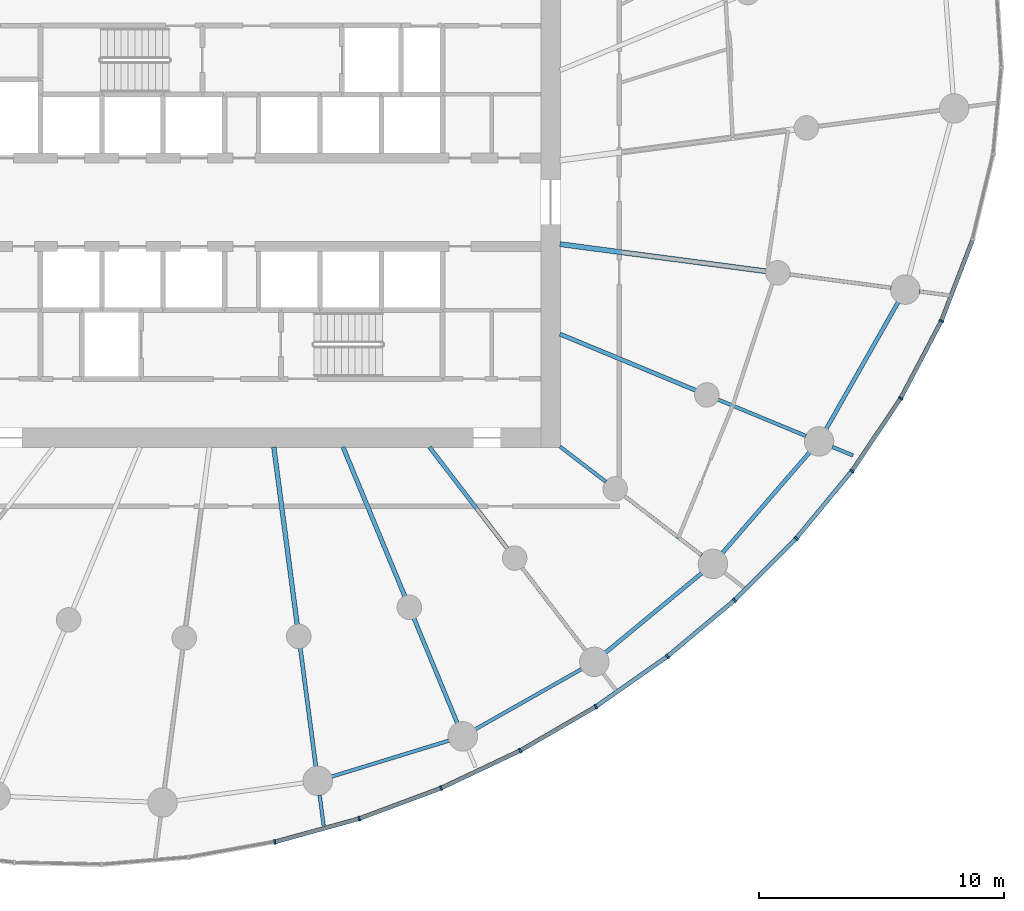
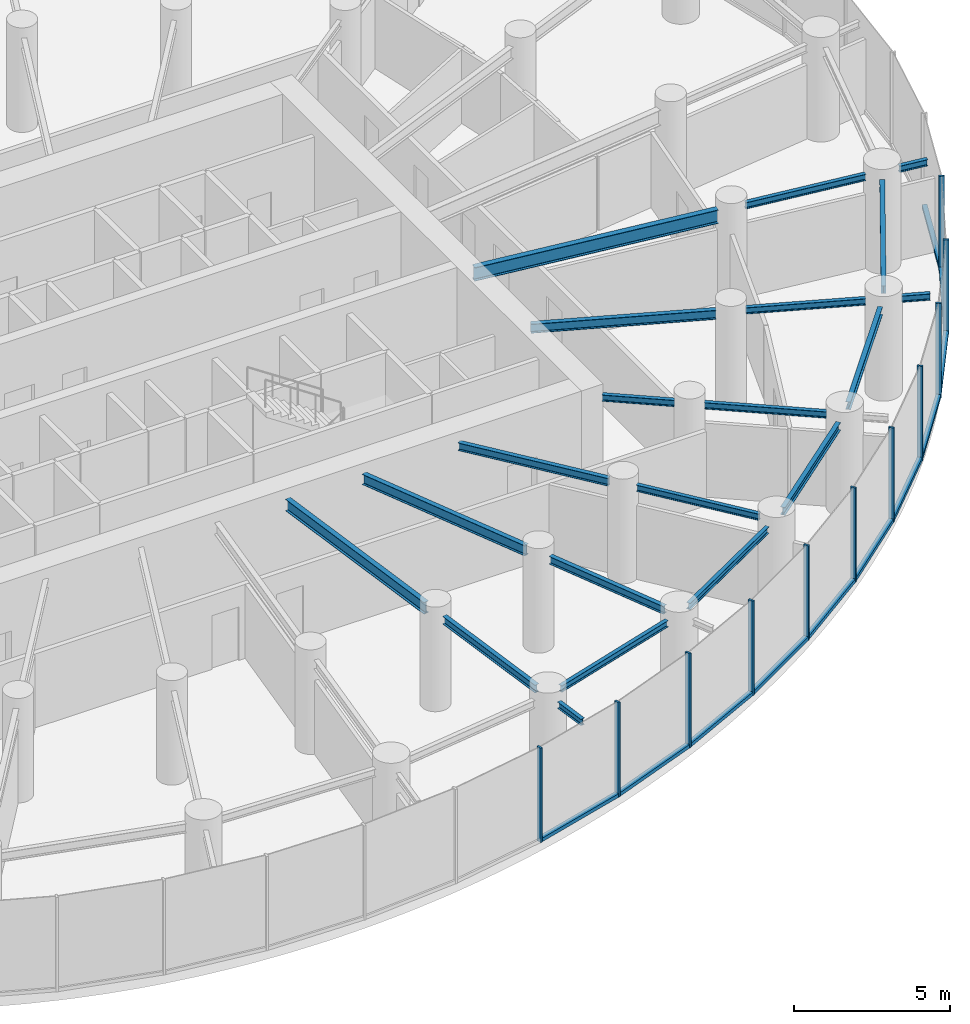
# One storey, part 4 of 18: 22 members, 20 beams, 3 elements without a shape of their own.
"""IFC4 building model written with IfcOpenShell, lengths in metres."""

import ifcopenshell
import ifcopenshell.guid

model = None  # the IFC model being written
_history = None  # IfcOwnerHistory: only IFC2X3 demands one
_inside = {}  # id of a spatial element -> (the spatial element, [elements in it])
_under = {}  # id of a project, library or spatial element -> (it, [spatial elements below it])
_declared = {}  # id of a project -> (the project, [libraries it declares])
_typed = {}  # id of a type object -> (the type object, [elements of that type])
_made_of = {}  # id of a material, layer set ... -> (it, [elements and type objects made of it])


def new_model(schema):
    """Start an empty IFC model of exactly this schema.

    Asked for "IFC4X3", IfcOpenShell would pick the latest addendum, in which some entities
    have other attributes; the version numbers below select the first issue.
    IFC2X3 requires an IfcOwnerHistory on every rooted entity: one is made here for all.
    """
    global model, _history
    if schema == "IFC4X3":
        model = ifcopenshell.file(schema_version=(4, 3, 0, 0))
    else:
        model = ifcopenshell.file(schema=schema)
    _inside.clear()
    _under.clear()
    _declared.clear()
    _typed.clear()
    _made_of.clear()
    _history = None
    if model.schema == "IFC2X3":
        org = make("IfcOrganization", Name="unknown")
        user = make(
            "IfcPersonAndOrganization",
            ThePerson=make("IfcPerson", FamilyName="unknown"),
            TheOrganization=org,
        )
        app = make(
            "IfcApplication",
            ApplicationDeveloper=org,
            Version="unknown",
            ApplicationFullName="unknown",
            ApplicationIdentifier="unknown",
        )
        _history = make(
            "IfcOwnerHistory",
            OwningUser=user,
            OwningApplication=app,
            ChangeAction="ADDED",
            CreationDate=0,
        )
    return model


def make(cls, **values):
    """One entity of the class cls with the attributes given. An attribute that is None is left unset."""
    return model.create_entity(
        cls, **{name: value for name, value in values.items() if value is not None}
    )


def rooted(cls, **values):
    """An entity with a GlobalId (a new one), such as an element, a storey or a relation."""
    return make(cls, GlobalId=ifcopenshell.guid.new(), OwnerHistory=_history, **values)


def si_unit(unit_type, name, prefix=None):
    """IfcSIUnit, for example si_unit("LENGTHUNIT", "METRE", prefix="MILLI")."""
    return make("IfcSIUnit", UnitType=unit_type, Prefix=prefix, Name=name)


def assignment(units):
    """IfcUnitAssignment: the units of a project."""
    return None if units is None else make("IfcUnitAssignment", Units=units)


def point(xyz):
    """IfcCartesianPoint."""
    return None if xyz is None else make("IfcCartesianPoint", Coordinates=xyz)


def direction(xyz):
    """IfcDirection."""
    return None if xyz is None else make("IfcDirection", DirectionRatios=xyz)


def frame(location, z_axis=None, x_axis=None):
    """IfcAxis2Placement3D, a coordinate frame: its origin and axes. An axis left out is left unset."""
    return make(
        "IfcAxis2Placement3D",
        Location=point(location),
        Axis=direction(z_axis),
        RefDirection=direction(x_axis),
    )


def frame_2d(location, x_axis=None):
    """IfcAxis2Placement2D, a coordinate frame in the plane: its origin and x axis."""
    return make(
        "IfcAxis2Placement2D", Location=point(location), RefDirection=direction(x_axis)
    )


def origin():
    """The frame at (0, 0, 0) with its axes left unset."""
    return frame((0.0, 0.0, 0.0))


def origin_2d():
    """The frame at (0, 0) in the plane with its x axis left unset."""
    return frame_2d((0.0, 0.0))


def place(relative_to, where):
    """IfcLocalPlacement: puts the frame where relative to a parent placement (None: the world)."""
    return make(
        "IfcLocalPlacement", PlacementRelTo=relative_to, RelativePlacement=where
    )


def context(
    kind, dimensions, precision=None, world=None, true_north=None, identifier=None
):
    """IfcGeometricRepresentationContext, for example the 3D "Model" context."""
    return make(
        "IfcGeometricRepresentationContext",
        ContextIdentifier=identifier,
        ContextType=kind,
        CoordinateSpaceDimension=dimensions,
        Precision=precision,
        WorldCoordinateSystem=world,
        TrueNorth=true_north,
    )


def subcontext(parent, identifier, kind, view, scale=None):
    """IfcGeometricRepresentationSubContext, for example "Body" below "Model"."""
    return make(
        "IfcGeometricRepresentationSubContext",
        ContextIdentifier=identifier,
        ContextType=kind,
        ParentContext=parent,
        TargetScale=scale,
        TargetView=view,
    )


def project(units=None, contexts=None):
    """IfcProject with its units and contexts."""
    return rooted(
        "IfcProject",
        Name="project",
        RepresentationContexts=contexts,
        UnitsInContext=assignment(units),
    )


def spatial(cls, under=None, at=None, **own):
    """A site, building, storey or space (cls), placed at a placement, below another one or the project."""
    s = rooted(cls, ObjectPlacement=at, **own)
    if under is not None:
        _under.setdefault(under.id(), (under, []))[1].append(s)
    return s


def profile(cls, at=None, kind="AREA", **sizes):
    """A parametric profile (cls). Its sizes go by their IFC names, for example OverallWidth=200.0."""
    return make(cls, ProfileType=kind, Position=at, **sizes)


def rectangle(**sizes):
    """IfcRectangleProfileDef."""
    return profile("IfcRectangleProfileDef", **sizes)


def i_section(**sizes):
    """IfcIShapeProfileDef."""
    return profile("IfcIShapeProfileDef", **sizes)


def extrude(swept, where, along, depth):
    """IfcExtrudedAreaSolid: the profile swept, set in the frame where, extruded along a direction by depth."""
    return make(
        "IfcExtrudedAreaSolid",
        SweptArea=swept,
        Position=where,
        ExtrudedDirection=direction(along),
        Depth=depth,
    )


def shape(context_of_items, identifier, shape_type, items):
    """IfcShapeRepresentation: the items that make up one representation, for example the "Body"."""
    return make(
        "IfcShapeRepresentation",
        ContextOfItems=context_of_items,
        RepresentationIdentifier=identifier,
        RepresentationType=shape_type,
        Items=items,
    )


def source(mapping_origin, context_of_items, identifier, shape_type, items):
    """IfcRepresentationMap: a shape defined once, which mapped items show again and again."""
    return make(
        "IfcRepresentationMap",
        MappingOrigin=mapping_origin,
        MappedRepresentation=shape(context_of_items, identifier, shape_type, items),
    )


def transform(
    local_origin,
    x_axis=None,
    y_axis=None,
    z_axis=None,
    scale=None,
    scale2=None,
    scale3=None,
    uniform=True,
):
    """IfcCartesianTransformationOperator3D, or its non-uniform kind. x_axis, y_axis, z_axis: its Axis1, 2, 3."""
    if uniform:
        return make(
            "IfcCartesianTransformationOperator3D",
            Axis1=direction(x_axis),
            Axis2=direction(y_axis),
            LocalOrigin=point(local_origin),
            Scale=scale,
            Axis3=direction(z_axis),
        )
    return make(
        "IfcCartesianTransformationOperator3DnonUniform",
        Axis1=direction(x_axis),
        Axis2=direction(y_axis),
        LocalOrigin=point(local_origin),
        Scale=scale,
        Axis3=direction(z_axis),
        Scale2=scale2,
        Scale3=scale3,
    )


def mapped(mapping_source, mapping_target):
    """IfcMappedItem: shows the shape of a source again, moved by a transform."""
    return make(
        "IfcMappedItem", MappingSource=mapping_source, MappingTarget=mapping_target
    )


def material(Name=None, Category=None):
    """IfcMaterial."""
    return make("IfcMaterial", Name=Name, Category=Category)


def layer(
    of_material, thickness, ventilated=None, Name=None, Category=None, Priority=None
):
    """IfcMaterialLayer: one layer of a wall or slab, of a material (None: an air gap)."""
    return make(
        "IfcMaterialLayer",
        Material=of_material,
        LayerThickness=thickness,
        IsVentilated=ventilated,
        Name=Name,
        Category=Category,
        Priority=Priority,
    )


def layer_set(layers, Name=None):
    """IfcMaterialLayerSet."""
    return make("IfcMaterialLayerSet", MaterialLayers=layers, LayerSetName=Name)


def material_profile(
    of_material, cross_section, Name=None, Category=None, Priority=None
):
    """IfcMaterialProfile: a cross section and its material."""
    return make(
        "IfcMaterialProfile",
        Name=Name,
        Material=of_material,
        Profile=cross_section,
        Priority=Priority,
        Category=Category,
    )


def profile_set(profiles, Name=None, composite=None):
    """IfcMaterialProfileSet."""
    return make(
        "IfcMaterialProfileSet",
        Name=Name,
        MaterialProfiles=profiles,
        CompositeProfile=composite,
    )


def made_of(thing, what):
    """Note that an element or type object is made of a material, layer set ...; save() writes the relation."""
    if what is not None:
        _made_of.setdefault(what.id(), (what, []))[1].append(thing)
    return thing


def type_object(cls, material=None, **own):
    """A type object (cls), such as IfcWallType, which elements share."""
    return made_of(rooted(cls, **own), material)


def element(
    cls,
    number,
    at=None,
    inside=None,
    cuts=None,
    type_object=None,
    material=None,
    context=None,
    identifier="Body",
    shape_type=None,
    held_by="IfcProductDefinitionShape",
    body=None,
    shapes=None,
    **own,
):
    """One element of the class cls, such as IfcWall. Its Tag is "e" and its number.

    at: its placement. inside: the storey or other place that contains it. cuts: it is an
    opening in that element (IfcRelVoidsElement). A single representation is given by context,
    identifier, shape_type and body (its items); several are given by shapes. held_by: the class
    of the entity that holds the representations. save() writes the other relations.
    """
    e = rooted(cls, Tag="e%d" % number, ObjectPlacement=at, **own)
    if body is not None:
        shapes = [shape(context, identifier, shape_type, body)]
    if shapes is not None:
        e.Representation = make(held_by, Representations=shapes)
    if inside is not None:
        _inside.setdefault(inside.id(), (inside, []))[1].append(e)
    if cuts is not None:
        rooted(
            "IfcRelVoidsElement", RelatingBuildingElement=cuts, RelatedOpeningElement=e
        )
    if type_object is not None:
        _typed.setdefault(type_object.id(), (type_object, []))[1].append(e)
    return made_of(e, material)


def aggregate(whole, parts):
    """IfcRelAggregates: a whole, such as a stair, and the parts it consists of."""
    return rooted("IfcRelAggregates", RelatingObject=whole, RelatedObjects=parts)


def save(model, path):
    """Write the relations noted so far, then the file.

    IfcRelAggregates (storeys below a building ...), IfcRelContainedInSpatialStructure (elements
    in a storey), IfcRelDefinesByType, IfcRelAssociatesMaterial and IfcRelDeclares: one each for
    every whole, place, type object, material and project.
    """
    for whole, parts in _under.values():
        aggregate(whole, parts)
    for where, things in _inside.values():
        rooted(
            "IfcRelContainedInSpatialStructure",
            RelatedElements=things,
            RelatingStructure=where,
        )
    for kind, things in _typed.values():
        rooted("IfcRelDefinesByType", RelatedObjects=things, RelatingType=kind)
    for what, things in _made_of.values():
        rooted("IfcRelAssociatesMaterial", RelatedObjects=things, RelatingMaterial=what)
    for by, libraries in _declared.values():
        rooted("IfcRelDeclares", RelatingContext=by, RelatedDefinitions=libraries)
    model.write(path)


model = new_model("IFC4")

# Units and contexts
model_context = context("Model", 3, precision=1e-05, world=origin(), true_north=direction((0.0, 1.0)))
body_context = subcontext(model_context, "Body", "Model", "MODEL_VIEW")
ifc_project = project(units=[si_unit("LENGTHUNIT", "METRE"), si_unit("AREAUNIT", "SQUARE_METRE"), si_unit("VOLUMEUNIT", "CUBIC_METRE"), si_unit("PLANEANGLEUNIT", "RADIAN"), si_unit("MASSUNIT", "GRAM", prefix="KILO")], contexts=[model_context])

# Site, building, storey
site_placement = place(None, origin())
site = spatial("IfcSite", under=ifc_project, at=site_placement, CompositionType="ELEMENT")
building_placement = place(site_placement, origin())
building = spatial("IfcBuilding", under=site, at=building_placement, Name="Spindrift Exchange Tower", CompositionType="ELEMENT")
storey_placement = place(building_placement, frame((0.0, 0.0, 116.699951171875)))
storey = spatial("IfcBuildingStorey", under=building, at=storey_placement, Name="L27", CompositionType="ELEMENT", Elevation=116.699951171875)

# Beams
ifc_material_1 = material(Name="Steel Grade 300", Category="steel")
ifc_material_profile_1 = material_profile(ifc_material_1, i_section(OverallWidth=0.18994140625, OverallDepth=0.45703125, WebThickness=0.009033203125, FlangeThickness=0.014404296875, FilletRadius=0.013916015625, at=origin_2d()), Name="460UB74.6")
ifc_profile_set_1 = profile_set([ifc_material_profile_1], Name="Steel Grade 300")
beam_type_1 = type_object("IfcBeamType", Name="Floor Beam 460UB74.6 Steel Grade 300", PredefinedType="BEAM", material=ifc_profile_set_1)
shared_shape_1 = source(origin(), body_context, "Body", "SweptSolid", [
    extrude(i_section(OverallWidth=0.18994140625, OverallDepth=0.45703125, WebThickness=0.009033203125, FlangeThickness=0.014404296875, FilletRadius=0.013916015625, at=origin_2d()), origin(), (0.0, 0.0, 1.0), 7.3095703125),
])
beam_1_placement = place(storey_placement, frame((53.31396484375, 38.019775390625, 3.471435546875), z_axis=(0.130527087244, -0.991444743541, 0.0), x_axis=(0.991444743541, 0.130527087244, 0.0)))
element("IfcBeam", 1, at=beam_1_placement, inside=storey, type_object=beam_type_1, Name="L27 radial beam R19A", PredefinedType="BEAM", context=body_context, shape_type="MappedRepresentation", body=[
    mapped(shared_shape_1, transform((0.0, 0.0, 0.0), scale=1.0)),
])
ifc_material_profile_2 = material_profile(ifc_material_1, i_section(OverallWidth=0.177978515625, OverallDepth=0.406005859375, WebThickness=0.0078125, FlangeThickness=0.0126953125, FilletRadius=0.013916015625, at=origin_2d()), Name="410UB59.7")
ifc_profile_set_2 = profile_set([ifc_material_profile_2], Name="Steel Grade 300")
beam_type_2 = type_object("IfcBeamType", Name="Floor Beam 410UB59.7 Steel Grade 300", PredefinedType="BEAM", material=ifc_profile_set_2)
shared_shape_2 = source(origin(), body_context, "Body", "SweptSolid", [
    extrude(i_section(OverallWidth=0.177978515625, OverallDepth=0.406005859375, WebThickness=0.0078125, FlangeThickness=0.0126953125, FilletRadius=0.013916015625, at=origin_2d()), origin(), (0.0, 0.0, 1.0), 6.594482421875),
])
beam_2_placement = place(storey_placement, frame((56.134521484375, 38.0185546875, 3.4970703125), z_axis=(0.382692929746, -0.92387559851, 0.0), x_axis=(0.92387559851, 0.382692929746, 0.0)))
element("IfcBeam", 2, at=beam_2_placement, inside=storey, type_object=beam_type_2, Name="L27 radial beam R20A", PredefinedType="BEAM", context=body_context, shape_type="MappedRepresentation", body=[
    mapped(shared_shape_2, transform((0.0, 0.0, 0.0), scale=1.0)),
])
ifc_material_profile_3 = material_profile(ifc_material_1, i_section(OverallWidth=0.1650390625, OverallDepth=0.303955078125, WebThickness=0.006103515625, FlangeThickness=0.01025390625, FilletRadius=0.011474609375, at=origin_2d()), Name="310UB40.4")
ifc_profile_set_3 = profile_set([ifc_material_profile_3], Name="Steel Grade 300")
beam_type_3 = type_object("IfcBeamType", Name="Floor Beam 310UB40.4 Steel Grade 300", PredefinedType="BEAM", material=ifc_profile_set_3)
shared_shape_3 = source(origin(), body_context, "Body", "SweptSolid", [
    extrude(i_section(OverallWidth=0.1650390625, OverallDepth=0.303955078125, WebThickness=0.006103515625, FlangeThickness=0.01025390625, FilletRadius=0.011474609375, at=origin_2d()), origin(), (0.0, 0.0, 1.0), 5.224609375),
])
beam_3_placement = place(storey_placement, frame((59.6611328125, 38.015869140625, 3.548095703125), z_axis=(0.608741499316, -0.793368632485, 0.0), x_axis=(0.793368632485, 0.608741499316, 0.0)))
element("IfcBeam", 3, at=beam_3_placement, inside=storey, type_object=beam_type_3, Name="L27 radial beam R21A", PredefinedType="BEAM", context=body_context, shape_type="MappedRepresentation", body=[
    mapped(shared_shape_3, transform((0.0, 0.0, 0.0), scale=1.0)),
])
ifc_material_profile_4 = material_profile(ifc_material_1, i_section(OverallWidth=0.14599609375, OverallDepth=0.251953125, WebThickness=0.006103515625, FlangeThickness=0.008544921875, FilletRadius=0.011962890625, at=origin_2d()), Name="250UB31.4")
ifc_profile_set_4 = profile_set([ifc_material_profile_4], Name="Steel Grade 300")
beam_type_4 = type_object("IfcBeamType", Name="Floor Beam 250UB31.4 Steel Grade 300", PredefinedType="BEAM", material=ifc_profile_set_4)
shared_shape_4 = source(origin(), body_context, "Body", "SweptSolid", [
    extrude(i_section(OverallWidth=0.14599609375, OverallDepth=0.251953125, WebThickness=0.006103515625, FlangeThickness=0.008544921875, FilletRadius=0.011962890625, at=origin_2d()), origin(), (0.0, 0.0, 1.0), 2.353759765625),
])
beam_4_placement = place(storey_placement, frame((64.984130859375, 38.036865234375, 3.573974609375), z_axis=(0.793367573265, -0.608742879787, 0.0), x_axis=(0.608742879787, 0.793367573265, 0.0)))
element("IfcBeam", 4, at=beam_4_placement, inside=storey, type_object=beam_type_4, Name="L27 radial beam R22A", PredefinedType="BEAM", context=body_context, shape_type="MappedRepresentation", body=[
    mapped(shared_shape_4, transform((0.0, 0.0, 0.0), scale=1.0)),
])
ifc_material_profile_5 = material_profile(ifc_material_1, i_section(OverallWidth=0.172119140625, OverallDepth=0.35888671875, WebThickness=0.008056640625, FlangeThickness=0.012939453125, FilletRadius=0.013916015625, at=origin_2d()), Name="360UB56.7")
ifc_profile_set_5 = profile_set([ifc_material_profile_5], Name="Steel Grade 300")
beam_type_5 = type_object("IfcBeamType", Name="Floor Beam 360UB56.7 Steel Grade 300", PredefinedType="BEAM", material=ifc_profile_set_5)
shared_shape_5 = source(origin(), body_context, "Body", "SweptSolid", [
    extrude(i_section(OverallWidth=0.172119140625, OverallDepth=0.35888671875, WebThickness=0.008056640625, FlangeThickness=0.012939453125, FilletRadius=0.013916015625, at=origin_2d()), origin(), (0.0, 0.0, 1.0), 6.004638671875),
])
beam_5_placement = place(storey_placement, frame((64.9814453125, 42.622802734375, 3.5205078125), z_axis=(0.923882044911, -0.38267736684, 0.0), x_axis=(0.38267736684, 0.923882044911, 0.0)))
element("IfcBeam", 5, at=beam_5_placement, inside=storey, type_object=beam_type_5, Name="L27 radial beam R23A", PredefinedType="BEAM", context=body_context, shape_type="MappedRepresentation", body=[
    mapped(shared_shape_5, transform((0.0, 0.0, 0.0), scale=1.0)),
])
ifc_material_profile_6 = material_profile(ifc_material_1, i_section(OverallWidth=0.208984375, OverallDepth=0.532958984375, WebThickness=0.01025390625, FlangeThickness=0.015625, FilletRadius=0.013916015625, at=origin_2d()), Name="530UB92.4")
ifc_profile_set_6 = profile_set([ifc_material_profile_6], Name="Steel Grade 300")
beam_type_6 = type_object("IfcBeamType", Name="Floor Beam 530UB92.4 Steel Grade 300", PredefinedType="BEAM", material=ifc_profile_set_6)
shared_shape_6 = source(origin(), body_context, "Body", "SweptSolid", [
    extrude(i_section(OverallWidth=0.208984375, OverallDepth=0.532958984375, WebThickness=0.01025390625, FlangeThickness=0.015625, FilletRadius=0.013916015625, at=origin_2d()), origin(), (0.0, 0.0, 1.0), 8.4794921875),
])
beam_6_placement = place(storey_placement, frame((64.980224609375, 46.291015625, 3.43359375), z_axis=(0.991446551951, -0.13051335037, 0.0), x_axis=(0.13051335037, 0.991446551951, 0.0)))
element("IfcBeam", 6, at=beam_6_placement, inside=storey, type_object=beam_type_6, Name="L27 radial beam R24A", PredefinedType="BEAM", context=body_context, shape_type="MappedRepresentation", body=[
    mapped(shared_shape_6, transform((0.0, 0.0, 0.0), scale=1.0)),
])
shared_shape_7 = source(origin(), body_context, "Body", "SweptSolid", [
    extrude(i_section(OverallWidth=0.1650390625, OverallDepth=0.303955078125, WebThickness=0.006103515625, FlangeThickness=0.01025390625, FilletRadius=0.011474609375, at=origin_2d()), origin(), (0.0, 0.0, 1.0), 4.883056640625),
])
beam_7_placement = place(storey_placement, frame((54.393310546875, 29.82080078125, 3.548095703125), z_axis=(0.130542457964, -0.991442719812, 0.0), x_axis=(0.991442719812, 0.130542457964, 0.0)))
element("IfcBeam", 7, at=beam_7_placement, inside=storey, type_object=beam_type_3, Name="L27 radial beam R19B", PredefinedType="BEAM", context=body_context, shape_type="MappedRepresentation", body=[
    mapped(shared_shape_7, transform((0.0, 0.0, 0.0), scale=1.0)),
])
shared_shape_8 = source(origin(), body_context, "Body", "SweptSolid", [
    extrude(i_section(OverallWidth=0.1650390625, OverallDepth=0.303955078125, WebThickness=0.006103515625, FlangeThickness=0.01025390625, FilletRadius=0.011474609375, at=origin_2d()), origin(), (0.0, 0.0, 1.0), 4.63671875),
])
beam_8_placement = place(storey_placement, frame((59.025390625, 31.0390625, 3.548095703125), z_axis=(0.382692818086, -0.923875644763, 0.0), x_axis=(0.923875644763, 0.382692818086, 0.0)))
element("IfcBeam", 8, at=beam_8_placement, inside=storey, type_object=beam_type_3, Name="L27 radial beam R20B", PredefinedType="BEAM", context=body_context, shape_type="MappedRepresentation", body=[
    mapped(shared_shape_8, transform((0.0, 0.0, 0.0), scale=1.0)),
])
shared_shape_9 = source(origin(), body_context, "Body", "SweptSolid", [
    extrude(i_section(OverallWidth=0.14599609375, OverallDepth=0.251953125, WebThickness=0.006103515625, FlangeThickness=0.008544921875, FilletRadius=0.011962890625, at=origin_2d()), origin(), (0.0, 0.0, 1.0), 4.27587890625),
])
beam_9_placement = place(storey_placement, frame((63.426025390625, 33.109375, 3.573974609375), z_axis=(0.608725184746, -0.793381150177, 0.0), x_axis=(0.793381150177, 0.608725184746, 0.0)))
element("IfcBeam", 9, at=beam_9_placement, inside=storey, type_object=beam_type_4, Name="L27 radial beam R21B", PredefinedType="BEAM", context=body_context, shape_type="MappedRepresentation", body=[
    mapped(shared_shape_9, transform((0.0, 0.0, 0.0), scale=1.0)),
])
shared_shape_10 = source(origin(), body_context, "Body", "SweptSolid", [
    extrude(i_section(OverallWidth=0.14599609375, OverallDepth=0.251953125, WebThickness=0.006103515625, FlangeThickness=0.008544921875, FilletRadius=0.011962890625, at=origin_2d()), origin(), (0.0, 0.0, 1.0), 3.966064453125),
])
beam_10_placement = place(storey_placement, frame((67.61328125, 36.01953125, 3.573974609375), z_axis=(0.79336256318, -0.608749409318, 0.0), x_axis=(0.608749409318, 0.79336256318, 0.0)))
element("IfcBeam", 10, at=beam_10_placement, inside=storey, type_object=beam_type_4, Name="L27 radial beam R22B", PredefinedType="BEAM", context=body_context, shape_type="MappedRepresentation", body=[
    mapped(shared_shape_10, transform((0.0, 0.0, 0.0), scale=1.0)),
])
shared_shape_11 = source(origin(), body_context, "Body", "SweptSolid", [
    extrude(i_section(OverallWidth=0.14599609375, OverallDepth=0.251953125, WebThickness=0.006103515625, FlangeThickness=0.008544921875, FilletRadius=0.011962890625, at=origin_2d()), origin(), (0.0, 0.0, 1.0), 3.892333984375),
])
beam_11_placement = place(storey_placement, frame((71.416015625, 39.95751953125, 3.573974609375), z_axis=(0.923878458273, -0.382686025794, 0.0), x_axis=(0.382686025794, 0.923878458273, 0.0)))
element("IfcBeam", 11, at=beam_11_placement, inside=storey, type_object=beam_type_4, Name="L27 radial beam R23B", PredefinedType="BEAM", context=body_context, shape_type="MappedRepresentation", body=[
    mapped(shared_shape_11, transform((0.0, 0.0, 0.0), scale=1.0)),
])
shared_shape_12 = source(origin(), body_context, "Body", "SweptSolid", [
    extrude(i_section(OverallWidth=0.14599609375, OverallDepth=0.251953125, WebThickness=0.006103515625, FlangeThickness=0.008544921875, FilletRadius=0.011962890625, at=origin_2d()), origin(), (0.0, 0.0, 1.0), 4.186279296875),
])
beam_12_placement = place(storey_placement, frame((74.339111328125, 45.05908203125, 3.573974609375), z_axis=(0.991445559167, -0.130520891848, 0.0), x_axis=(0.130520891848, 0.991445559167, 0.0)))
element("IfcBeam", 12, at=beam_12_placement, inside=storey, type_object=beam_type_4, Name="L27 radial beam R24B", PredefinedType="BEAM", context=body_context, shape_type="MappedRepresentation", body=[
    mapped(shared_shape_12, transform((0.0, 0.0, 0.0), scale=1.0)),
])
ifc_material_profile_7 = material_profile(ifc_material_1, i_section(OverallWidth=0.14599609375, OverallDepth=0.251953125, WebThickness=0.006103515625, FlangeThickness=0.008544921875, FilletRadius=0.011962890625, at=origin_2d()), Name="250UB31.4")
ifc_profile_set_7 = profile_set([ifc_material_profile_7], Name="Steel Grade 300")
beam_type_7 = type_object("IfcBeamType", Name="Edge Beam 250UB31.4 Steel Grade 300", PredefinedType="SPANDREL", material=ifc_profile_set_7)
shared_shape_13 = source(origin(), body_context, "Body", "SweptSolid", [
    extrude(i_section(OverallWidth=0.14599609375, OverallDepth=0.251953125, WebThickness=0.006103515625, FlangeThickness=0.008544921875, FilletRadius=0.011962890625, at=origin_2d()), origin(), (0.0, 0.0, 1.0), 5.027587890625),
])
beam_13_placement = place(storey_placement, frame((55.660888671875, 24.57470703125, 3.573974609375), z_axis=(0.956018084082, 0.293307727325, 0.0), x_axis=(-0.293307727325, 0.956018084082, 0.0)))
element("IfcBeam", 13, at=beam_13_placement, inside=storey, type_object=beam_type_7, Name="L27 edge beam E19", PredefinedType="SPANDREL", context=body_context, shape_type="MappedRepresentation", body=[
    mapped(shared_shape_13, transform((0.0, 0.0, 0.0), scale=1.0)),
])
shared_shape_14 = source(origin(), body_context, "Body", "SweptSolid", [
    extrude(i_section(OverallWidth=0.14599609375, OverallDepth=0.251953125, WebThickness=0.006103515625, FlangeThickness=0.008544921875, FilletRadius=0.011962890625, at=origin_2d()), origin(), (0.0, 0.0, 1.0), 5.0009765625),
])
beam_14_placement = place(storey_placement, frame((61.5263671875, 26.505615234375, 3.573974609375), z_axis=(0.870045916697, 0.492970691663, 0.0), x_axis=(-0.492970691663, 0.870045916697, 0.0)))
element("IfcBeam", 14, at=beam_14_placement, inside=storey, type_object=beam_type_7, Name="L27 edge beam E20", PredefinedType="SPANDREL", context=body_context, shape_type="MappedRepresentation", body=[
    mapped(shared_shape_14, transform((0.0, 0.0, 0.0), scale=1.0)),
])
ifc_material_profile_8 = material_profile(ifc_material_1, i_section(OverallWidth=0.1650390625, OverallDepth=0.303955078125, WebThickness=0.006103515625, FlangeThickness=0.01025390625, FilletRadius=0.011474609375, at=origin_2d()), Name="310UB40.4")
ifc_profile_set_8 = profile_set([ifc_material_profile_8], Name="Steel Grade 300")
beam_type_8 = type_object("IfcBeamType", Name="Edge Beam 310UB40.4 Steel Grade 300", PredefinedType="SPANDREL", material=ifc_profile_set_8)
shared_shape_15 = source(origin(), body_context, "Body", "SweptSolid", [
    extrude(i_section(OverallWidth=0.1650390625, OverallDepth=0.303955078125, WebThickness=0.006103515625, FlangeThickness=0.01025390625, FilletRadius=0.011474609375, at=origin_2d()), origin(), (0.0, 0.0, 1.0), 5.114501953125),
])
beam_15_placement = place(storey_placement, frame((66.8291015625, 29.626220703125, 3.548095703125), z_axis=(0.771073837992, 0.63674573918, 0.0), x_axis=(-0.63674573918, 0.771073837992, 0.0)))
element("IfcBeam", 15, at=beam_15_placement, inside=storey, type_object=beam_type_8, Name="L27 edge beam E21", PredefinedType="SPANDREL", context=body_context, shape_type="MappedRepresentation", body=[
    mapped(shared_shape_15, transform((0.0, 0.0, 0.0), scale=1.0)),
])
shared_shape_16 = source(origin(), body_context, "Body", "SweptSolid", [
    extrude(i_section(OverallWidth=0.1650390625, OverallDepth=0.303955078125, WebThickness=0.006103515625, FlangeThickness=0.01025390625, FilletRadius=0.011474609375, at=origin_2d()), origin(), (0.0, 0.0, 1.0), 5.448486328125),
])
beam_16_placement = place(storey_placement, frame((71.599609375, 33.6904296875, 3.548095703125), z_axis=(0.654922008827, 0.755696475018, 0.0), x_axis=(-0.755696475018, 0.654922008827, 0.0)))
element("IfcBeam", 16, at=beam_16_placement, inside=storey, type_object=beam_type_8, Name="L27 edge beam E22", PredefinedType="SPANDREL", context=body_context, shape_type="MappedRepresentation", body=[
    mapped(shared_shape_16, transform((0.0, 0.0, 0.0), scale=1.0)),
])
shared_shape_17 = source(origin(), body_context, "Body", "SweptSolid", [
    extrude(i_section(OverallWidth=0.1650390625, OverallDepth=0.303955078125, WebThickness=0.006103515625, FlangeThickness=0.01025390625, FilletRadius=0.011474609375, at=origin_2d()), origin(), (0.0, 0.0, 1.0), 5.9599609375),
])
beam_17_placement = place(storey_placement, frame((75.834228515625, 38.75048828125, 3.548095703125), z_axis=(0.493940434745, 0.869495742901, 0.0), x_axis=(-0.869495742901, 0.493940434745, 0.0)))
element("IfcBeam", 17, at=beam_17_placement, inside=storey, type_object=beam_type_8, Name="L27 edge beam E23", PredefinedType="SPANDREL", context=body_context, shape_type="MappedRepresentation", body=[
    mapped(shared_shape_17, transform((0.0, 0.0, 0.0), scale=1.0)),
])
ifc_material_profile_9 = material_profile(ifc_material_1, i_section(OverallWidth=0.14599609375, OverallDepth=0.251953125, WebThickness=0.006103515625, FlangeThickness=0.008544921875, FilletRadius=0.011962890625, at=origin_2d()), Name="250UB31.4")
ifc_profile_set_9 = profile_set([ifc_material_profile_9], Name="Steel Grade 300")
beam_type_9 = type_object("IfcBeamType", Name="Cantilever Beam 250UB31.4 Steel Grade 300", PredefinedType="BEAM", material=ifc_profile_set_9)
shared_shape_18 = source(origin(), body_context, "Body", "SweptSolid", [
    extrude(i_section(OverallWidth=0.14599609375, OverallDepth=0.251953125, WebThickness=0.006103515625, FlangeThickness=0.008544921875, FilletRadius=0.011962890625, at=origin_2d()), origin(), (0.0, 0.0, 1.0), 1.250244140625),
])
beam_18_placement = place(storey_placement, frame((55.18212890625, 23.82958984375, 3.573974609375), z_axis=(0.130449460985, -0.991454960212, 0.0), x_axis=(0.991454960212, 0.130449460985, 0.0)))
element("IfcBeam", 18, at=beam_18_placement, inside=storey, type_object=beam_type_9, Name="L27 cantilever beam R19T", PredefinedType="BEAM", context=body_context, shape_type="MappedRepresentation", body=[
    mapped(shared_shape_18, transform((0.0, 0.0, 0.0), scale=1.0)),
])
shared_shape_19 = source(origin(), body_context, "Body", "SweptSolid", [
    extrude(i_section(OverallWidth=0.14599609375, OverallDepth=0.251953125, WebThickness=0.006103515625, FlangeThickness=0.008544921875, FilletRadius=0.011962890625, at=origin_2d()), origin(), (0.0, 0.0, 1.0), 0.921630859375),
])
beam_19_placement = place(storey_placement, frame((76.08349609375, 38.024169921875, 3.573974609375), z_axis=(0.923858639481, -0.382733868707, 0.0), x_axis=(0.382733868707, 0.923858639481, 0.0)))
element("IfcBeam", 19, at=beam_19_placement, inside=storey, type_object=beam_type_9, Name="L27 cantilever beam R23T", PredefinedType="BEAM", context=body_context, shape_type="MappedRepresentation", body=[
    mapped(shared_shape_19, transform((0.0, 0.0, 0.0), scale=1.0)),
])
shared_shape_20 = source(origin(), body_context, "Body", "SweptSolid", [
    extrude(i_section(OverallWidth=0.14599609375, OverallDepth=0.251953125, WebThickness=0.006103515625, FlangeThickness=0.008544921875, FilletRadius=0.011962890625, at=origin_2d()), origin(), (0.0, 0.0, 1.0), 0.983154296875),
])
beam_20_placement = place(storey_placement, frame((79.639404296875, 44.361083984375, 3.573974609375), z_axis=(0.991466967917, -0.13035816633, 0.0), x_axis=(0.13035816633, 0.991466967917, 0.0)))
element("IfcBeam", 20, at=beam_20_placement, inside=storey, type_object=beam_type_9, Name="L27 cantilever beam R24T", PredefinedType="BEAM", context=body_context, shape_type="MappedRepresentation", body=[
    mapped(shared_shape_20, transform((0.0, 0.0, 0.0), scale=1.0)),
])

# Curtain wall, member
ifc_material_2 = material(Name="Fritted laminated glass with bronze frame", Category="glass")
ifc_layer = layer(ifc_material_2, 0.18994140625)
ifc_layer_set = layer_set([ifc_layer], Name="ZONE 2 BRONZE FRITTED WALL")
curtain_wall_type = type_object("IfcCurtainWallType", Name="ZONE 2 BRONZE FRITTED WALL", PredefinedType="NOTDEFINED", material=ifc_layer_set)
curtain_wall_1_placement = place(storey_placement, origin())
curtain_wall_1 = element("IfcCurtainWall", 21, at=curtain_wall_1_placement, inside=storey, type_object=curtain_wall_type, Name="L27 Zone 2 Bronze Fritted Wall run 6", PredefinedType="NOTDEFINED")
ifc_material_3 = material(Name="Bronze anodised aluminium", Category="aluminium")
ifc_material_profile_10 = material_profile(ifc_material_3, rectangle(XDim=0.074951171875, YDim=0.18994140625, at=origin_2d()), Name="ZONE 2 BRONZE FRITTED WALL MULLION 75X190")
ifc_profile_set_10 = profile_set([ifc_material_profile_10], Name="Bronze anodised aluminium")
member_type_1 = type_object("IfcMemberType", Name="ZONE 2 BRONZE FRITTED WALL MULLION 75X190", PredefinedType="MULLION", material=ifc_profile_set_10)
shared_shape_21 = source(origin(), body_context, "Body", "SweptSolid", [
    extrude(rectangle(XDim=0.074951171875, YDim=0.18994140625, at=origin_2d()), origin(), (0.0, 0.0, 1.0), 3.699951171875),
])
member_1_placement = place(storey_placement, frame((53.357177734375, 21.915283203125, 0.0), z_axis=(0.0, 0.0, 1.0), x_axis=(0.975011585138, 0.22215402055, 0.0)))
member_1 = element("IfcMember", 22, at=member_1_placement, type_object=member_type_1, Name="L27 mullion CW-2.36", PredefinedType="MULLION", context=body_context, shape_type="MappedRepresentation", body=[
    mapped(shared_shape_21, transform((0.0, 0.0, 0.0), scale=1.0)),
])

# Curtain wall, members
curtain_wall_2_placement = place(storey_placement, origin())
curtain_wall_2 = element("IfcCurtainWall", 23, at=curtain_wall_2_placement, inside=storey, type_object=curtain_wall_type, Name="L27 Zone 2 Bronze Fritted Wall run 7", PredefinedType="NOTDEFINED")
member_2_placement = place(storey_placement, frame((56.794921875, 22.865234375, 0.0), z_axis=(0.0, 0.0, 1.0), x_axis=(0.951314362767, 0.308222295093, 0.0)))
member_2 = element("IfcMember", 24, at=member_2_placement, type_object=member_type_1, Name="L27 mullion CW-2.37", PredefinedType="MULLION", context=body_context, shape_type="MappedRepresentation", body=[
    mapped(shared_shape_21, transform((0.0, 0.0, 0.0), scale=1.0)),
])
member_3_placement = place(storey_placement, frame((60.136474609375, 24.11181640625, 0.0), z_axis=(0.0, 0.0, 1.0), x_axis=(0.921173749502, 0.389151542755, 0.0)))
member_3 = element("IfcMember", 25, at=member_3_placement, type_object=member_type_1, Name="L27 mullion CW-2.38", PredefinedType="MULLION", context=body_context, shape_type="MappedRepresentation", body=[
    mapped(shared_shape_21, transform((0.0, 0.0, 0.0), scale=1.0)),
])
member_4_placement = place(storey_placement, frame((63.35986328125, 25.638671875, 0.0), z_axis=(0.0, 0.0, 1.0), x_axis=(0.884910754934, 0.465760620708, 0.0)))
member_4 = element("IfcMember", 26, at=member_4_placement, type_object=member_type_1, Name="L27 mullion CW-2.39", PredefinedType="MULLION", context=body_context, shape_type="MappedRepresentation", body=[
    mapped(shared_shape_21, transform((0.0, 0.0, 0.0), scale=1.0)),
])
member_5_placement = place(storey_placement, frame((66.443359375, 27.431396484375, 0.0), z_axis=(0.0, 0.0, 1.0), x_axis=(0.842444720433, 0.538782788342, 0.0)))
member_5 = element("IfcMember", 27, at=member_5_placement, type_object=member_type_1, Name="L27 mullion CW-2.40", PredefinedType="MULLION", context=body_context, shape_type="MappedRepresentation", body=[
    mapped(shared_shape_21, transform((0.0, 0.0, 0.0), scale=1.0)),
])
member_6_placement = place(storey_placement, frame((69.364013671875, 29.478515625, 0.0), z_axis=(0.0, 0.0, 1.0), x_axis=(0.793400409131, 0.608700082792, 0.0)))
member_6 = element("IfcMember", 28, at=member_6_placement, type_object=member_type_1, Name="L27 mullion CW-2.41", PredefinedType="MULLION", context=body_context, shape_type="MappedRepresentation", body=[
    mapped(shared_shape_21, transform((0.0, 0.0, 0.0), scale=1.0)),
])
member_7_placement = place(storey_placement, frame((72.09765625, 31.769287109375, 0.0), z_axis=(0.0, 0.0, 1.0), x_axis=(0.737056373417, 0.675831267704, 0.0)))
member_7 = element("IfcMember", 29, at=member_7_placement, type_object=member_type_1, Name="L27 mullion CW-2.42", PredefinedType="MULLION", context=body_context, shape_type="MappedRepresentation", body=[
    mapped(shared_shape_21, transform((0.0, 0.0, 0.0), scale=1.0)),
])

curtain_wall_3_placement = place(storey_placement, origin())
curtain_wall_3 = element("IfcCurtainWall", 30, at=curtain_wall_3_placement, inside=storey, type_object=curtain_wall_type, Name="L27 Zone 2 Bronze Fritted Wall run 8", PredefinedType="NOTDEFINED")
member_8_placement = place(storey_placement, frame((74.6162109375, 34.29443359375, 0.0), z_axis=(0.0, 0.0, 1.0), x_axis=(0.672377579403, 0.740208342777, 0.0)))
member_8 = element("IfcMember", 31, at=member_8_placement, type_object=member_type_1, Name="L27 mullion CW-2.43", PredefinedType="MULLION", context=body_context, shape_type="MappedRepresentation", body=[
    mapped(shared_shape_21, transform((0.0, 0.0, 0.0), scale=1.0)),
])
member_9_placement = place(storey_placement, frame((76.888427734375, 37.04345703125, 0.0), z_axis=(0.0, 0.0, 1.0), x_axis=(0.597970487506, 0.801518119616, 0.0)))
member_9 = element("IfcMember", 32, at=member_9_placement, type_object=member_type_1, Name="L27 mullion CW-2.44", PredefinedType="MULLION", context=body_context, shape_type="MappedRepresentation", body=[
    mapped(shared_shape_21, transform((0.0, 0.0, 0.0), scale=1.0)),
])
member_10_placement = place(storey_placement, frame((78.876220703125, 40.00439453125, 0.0), z_axis=(0.0, 0.0, 1.0), x_axis=(0.512074355012, 0.858941124257, 0.0)))
member_10 = element("IfcMember", 33, at=member_10_placement, type_object=member_type_1, Name="L27 mullion CW-2.45", PredefinedType="MULLION", context=body_context, shape_type="MappedRepresentation", body=[
    mapped(shared_shape_21, transform((0.0, 0.0, 0.0), scale=1.0)),
])
member_11_placement = place(storey_placement, frame((80.535400390625, 43.16064453125, 0.0), z_axis=(0.0, 0.0, 1.0), x_axis=(0.412699593367, 0.91086719429, 0.0)))
member_11 = element("IfcMember", 34, at=member_11_placement, type_object=member_type_1, Name="L27 mullion CW-2.46", PredefinedType="MULLION", context=body_context, shape_type="MappedRepresentation", body=[
    mapped(shared_shape_21, transform((0.0, 0.0, 0.0), scale=1.0)),
])

# Member
ifc_material_profile_11 = material_profile(ifc_material_3, rectangle(XDim=0.169921875, YDim=0.139892578125, at=origin_2d()), Name="ZONE 2 BRONZE FRITTED WALL TRANSOM 170X140")
ifc_profile_set_11 = profile_set([ifc_material_profile_11], Name="Bronze anodised aluminium")
member_type_2 = type_object("IfcMemberType", Name="ZONE 2 BRONZE FRITTED WALL TRANSOM 170X140", PredefinedType="USERDEFINED", material=ifc_profile_set_11)
shared_shape_22 = source(origin(), body_context, "Body", "SweptSolid", [
    extrude(rectangle(XDim=0.169921875, YDim=0.139892578125, at=origin_2d()), origin(), (0.0, 0.0, 1.0), 3.49169921875),
])
member_12_placement = place(storey_placement, frame((53.393310546875, 21.92529296875, 0.070068359375), z_axis=(0.963880657016, 0.26633452467, 0.0), x_axis=(-0.26633452467, 0.963880657016, 0.0)))
member_12 = element("IfcMember", 35, at=member_12_placement, type_object=member_type_2, Name="L27 transom CW-2.36", ObjectType="TRANSOM", PredefinedType="USERDEFINED", context=body_context, shape_type="MappedRepresentation", body=[
    mapped(shared_shape_22, transform((0.0, 0.0, 0.0), scale=1.0)),
])

aggregate(curtain_wall_1, [member_1, member_12])

member_13_placement = place(storey_placement, frame((60.17041015625, 24.1279296875, 0.070068359375), z_axis=(0.903747804972, 0.428065304607, 0.0), x_axis=(-0.428065304607, 0.903747804972, 0.0)))
member_13 = element("IfcMember", 36, at=member_13_placement, type_object=member_type_2, Name="L27 transom CW-2.38", ObjectType="TRANSOM", PredefinedType="USERDEFINED", context=body_context, shape_type="MappedRepresentation", body=[
    mapped(shared_shape_22, transform((0.0, 0.0, 0.0), scale=1.0)),
])

member_14_placement = place(storey_placement, frame((63.392333984375, 25.657470703125, 0.070068359375), z_axis=(0.864488109324, 0.502653269001, 0.0), x_axis=(-0.502653269001, 0.864488109324, 0.0)))
member_14 = element("IfcMember", 37, at=member_14_placement, type_object=member_type_2, Name="L27 transom CW-2.39", ObjectType="TRANSOM", PredefinedType="USERDEFINED", context=body_context, shape_type="MappedRepresentation", body=[
    mapped(shared_shape_22, transform((0.0, 0.0, 0.0), scale=1.0)),
])

member_15_placement = place(storey_placement, frame((66.47412109375, 27.452880859375, 0.070068359375), z_axis=(0.81886055042, 0.573992507762, 0.0), x_axis=(-0.573992507762, 0.81886055042, 0.0)))
member_15 = element("IfcMember", 38, at=member_15_placement, type_object=member_type_2, Name="L27 transom CW-2.40", ObjectType="TRANSOM", PredefinedType="USERDEFINED", context=body_context, shape_type="MappedRepresentation", body=[
    mapped(shared_shape_22, transform((0.0, 0.0, 0.0), scale=1.0)),
])

member_16_placement = place(storey_placement, frame((72.1240234375, 31.7958984375, 0.070068359375), z_axis=(0.706197230228, 0.708015163692, 0.0), x_axis=(-0.708015163692, 0.706197230228, 0.0)))
member_16 = element("IfcMember", 39, at=member_16_placement, type_object=member_type_2, Name="L27 transom CW-2.42", ObjectType="TRANSOM", PredefinedType="USERDEFINED", context=body_context, shape_type="MappedRepresentation", body=[
    mapped(shared_shape_22, transform((0.0, 0.0, 0.0), scale=1.0)),
])

shared_shape_23 = source(origin(), body_context, "Body", "SweptSolid", [
    extrude(rectangle(XDim=0.169921875, YDim=0.139892578125, at=origin_2d()), origin(), (0.0, 0.0, 1.0), 3.49072265625),
])
member_17_placement = place(storey_placement, frame((78.8935546875, 40.03759765625, 0.070068359375), z_axis=(0.46530534855, 0.885150231662, 0.0), x_axis=(-0.885150231662, 0.46530534855, 0.0)))
member_17 = element("IfcMember", 40, at=member_17_placement, type_object=member_type_2, Name="L27 transom CW-2.45", ObjectType="TRANSOM", PredefinedType="USERDEFINED", context=body_context, shape_type="MappedRepresentation", body=[
    mapped(shared_shape_23, transform((0.0, 0.0, 0.0), scale=1.0)),
])

shared_shape_24 = source(origin(), body_context, "Body", "SweptSolid", [
    extrude(rectangle(XDim=0.169921875, YDim=0.139892578125, at=origin_2d()), origin(), (0.0, 0.0, 1.0), 3.491455078125),
])
member_18_placement = place(storey_placement, frame((56.830078125, 22.87841796875, 0.070068359375), z_axis=(0.936916948863, 0.34955204324, 0.0), x_axis=(-0.34955204324, 0.936916948863, 0.0)))
member_18 = element("IfcMember", 41, at=member_18_placement, type_object=member_type_2, Name="L27 transom CW-2.37", ObjectType="TRANSOM", PredefinedType="USERDEFINED", context=body_context, shape_type="MappedRepresentation", body=[
    mapped(shared_shape_24, transform((0.0, 0.0, 0.0), scale=1.0)),
])

member_19_placement = place(storey_placement, frame((69.392822265625, 29.502685546875, 0.070068359375), z_axis=(0.76643581559, 0.642320901561, 0.0), x_axis=(-0.642320901561, 0.76643581559, 0.0)))
member_19 = element("IfcMember", 42, at=member_19_placement, type_object=member_type_2, Name="L27 transom CW-2.41", ObjectType="TRANSOM", PredefinedType="USERDEFINED", context=body_context, shape_type="MappedRepresentation", body=[
    mapped(shared_shape_24, transform((0.0, 0.0, 0.0), scale=1.0)),
])

aggregate(curtain_wall_2, [member_2, member_18, member_3, member_13, member_4, member_14, member_5, member_15, member_6, member_19, member_7, member_16])

member_20_placement = place(storey_placement, frame((74.64013671875, 34.323486328125, 0.070068359375), z_axis=(0.637091042758, 0.770788559359, 0.0), x_axis=(-0.770788559359, 0.637091042758, 0.0)))
member_20 = element("IfcMember", 43, at=member_20_placement, type_object=member_type_2, Name="L27 transom CW-2.43", ObjectType="TRANSOM", PredefinedType="USERDEFINED", context=body_context, shape_type="MappedRepresentation", body=[
    mapped(shared_shape_24, transform((0.0, 0.0, 0.0), scale=1.0)),
])

shared_shape_25 = source(origin(), body_context, "Body", "SweptSolid", [
    extrude(rectangle(XDim=0.169921875, YDim=0.139892578125, at=origin_2d()), origin(), (0.0, 0.0, 1.0), 3.490966796875),
])
member_21_placement = place(storey_placement, frame((76.909423828125, 37.07470703125, 0.070068359375), z_axis=(0.557376342437, 0.830259967053, 0.0), x_axis=(-0.830259967053, 0.557376342437, 0.0)))
member_21 = element("IfcMember", 44, at=member_21_placement, type_object=member_type_2, Name="L27 transom CW-2.44", ObjectType="TRANSOM", PredefinedType="USERDEFINED", context=body_context, shape_type="MappedRepresentation", body=[
    mapped(shared_shape_25, transform((0.0, 0.0, 0.0), scale=1.0)),
])

shared_shape_26 = source(origin(), body_context, "Body", "SweptSolid", [
    extrude(rectangle(XDim=0.169921875, YDim=0.139892578125, at=origin_2d()), origin(), (0.0, 0.0, 1.0), 3.490234375),
])
member_22_placement = place(storey_placement, frame((80.548828125, 43.19580078125, 0.070068359375), z_axis=(0.358693141163, 0.93345553214, 0.0), x_axis=(-0.93345553214, 0.358693141163, 0.0)))
member_22 = element("IfcMember", 45, at=member_22_placement, type_object=member_type_2, Name="L27 transom CW-2.46", ObjectType="TRANSOM", PredefinedType="USERDEFINED", context=body_context, shape_type="MappedRepresentation", body=[
    mapped(shared_shape_26, transform((0.0, 0.0, 0.0), scale=1.0)),
])

aggregate(curtain_wall_3, [member_8, member_20, member_9, member_21, member_10, member_17, member_11, member_22])

save(model, "model.ifc")
